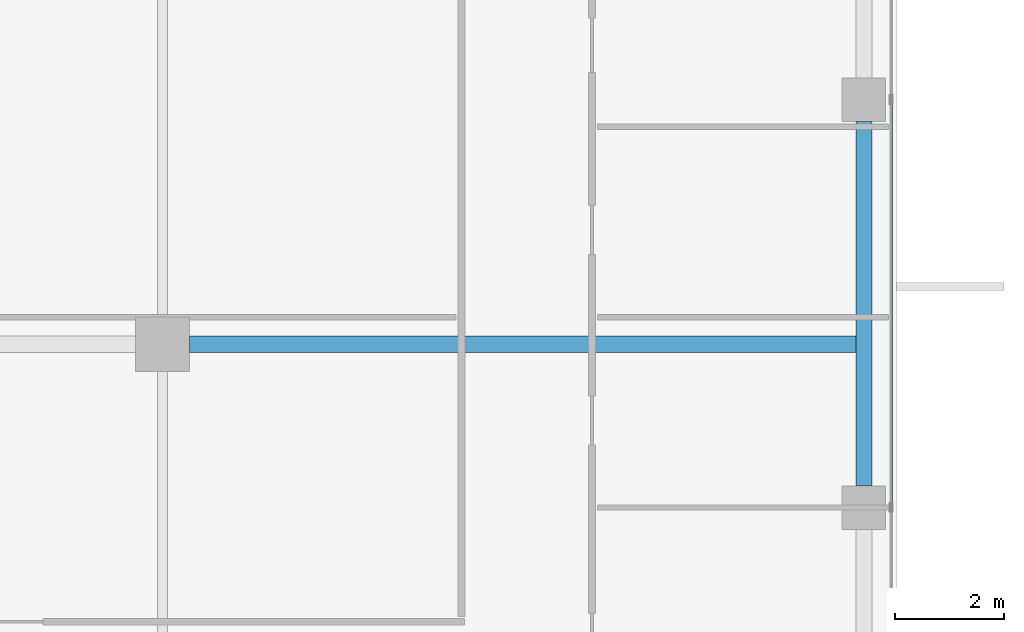
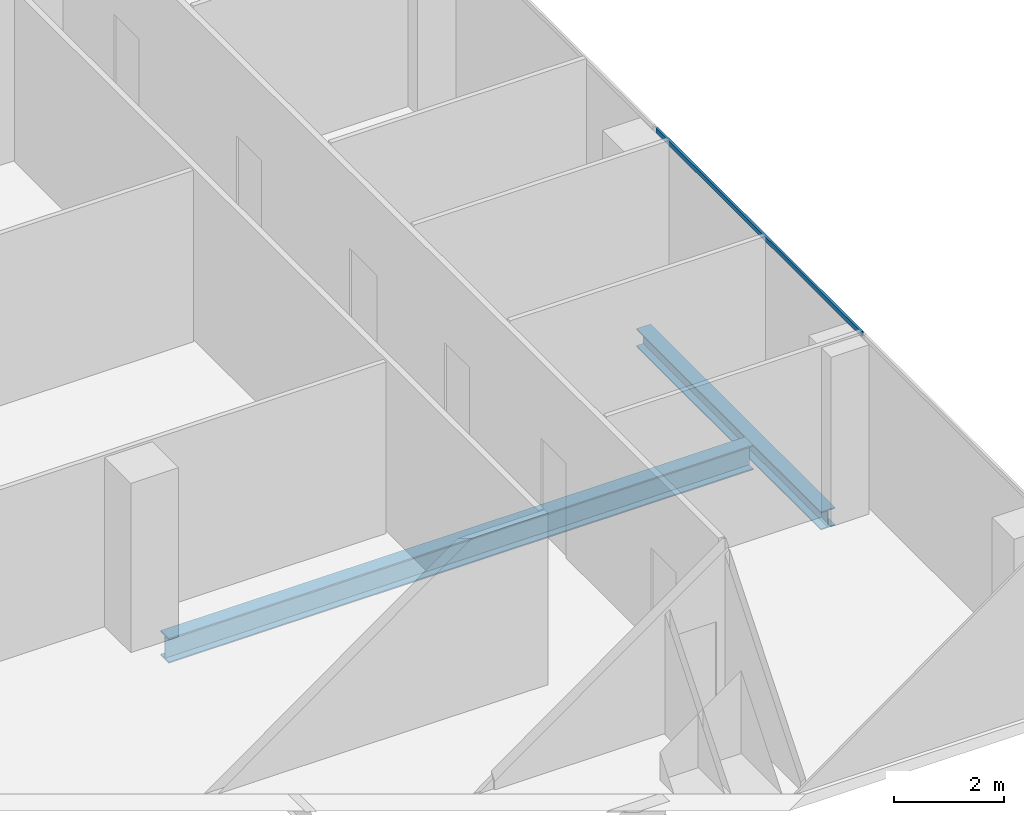
# One storey, part 9 of 28: 2 beams, 1 member, 1 element without a shape of its own.
"""IFC4 building model written with IfcOpenShell, lengths in metres."""

from ifc_helpers import new_model, si_unit, direction, frame, origin, origin_2d, place, context, subcontext, project, spatial, hollow_rectangle, i_section, extrude, source, transform, mapped, material, material_profile, profile_set, type_object, element, aggregate, save


model = new_model("IFC4")

# Units and contexts
model_context = context("Model", 3, precision=1e-05, world=origin(), true_north=direction((0.0, 1.0)))
body_context = subcontext(model_context, "Body", "Model", "MODEL_VIEW")
ifc_project = project(units=[si_unit("LENGTHUNIT", "METRE"), si_unit("AREAUNIT", "SQUARE_METRE"), si_unit("VOLUMEUNIT", "CUBIC_METRE"), si_unit("PLANEANGLEUNIT", "RADIAN"), si_unit("MASSUNIT", "GRAM", prefix="KILO")], contexts=[model_context])

# Site, building, storey
site_placement = place(None, origin())
site = spatial("IfcSite", under=ifc_project, at=site_placement, CompositionType="ELEMENT")
building_placement = place(site_placement, origin())
building = spatial("IfcBuilding", under=site, at=building_placement, Name="Khomas Fold Tower", CompositionType="ELEMENT")
storey_placement = place(building_placement, frame((0.0, 0.0, 302.199951171875)))
storey = spatial("IfcBuildingStorey", under=building, at=storey_placement, Name="L68", CompositionType="ELEMENT", Elevation=302.199951171875)

# Beams
ifc_material_1 = material(Name="Steel S355", Category="steel")
ifc_material_profile_1 = material_profile(ifc_material_1, i_section(OverallWidth=0.300048828125, OverallDepth=0.39990234375, WebThickness=0.013427734375, FlangeThickness=0.02392578125, at=origin_2d()), Name="HE 400 B")
ifc_profile_set_1 = profile_set([ifc_material_profile_1], Name="Steel S355")
beam_type_1 = type_object("IfcBeamType", Name="HE 400 B spandrel SB5", PredefinedType="SPANDREL", material=ifc_profile_set_1)
shared_shape_1 = source(origin(), body_context, "Body", "SweptSolid", [
    extrude(i_section(OverallWidth=0.300048828125, OverallDepth=0.39990234375, WebThickness=0.013427734375, FlangeThickness=0.02392578125, at=origin_2d()), origin(), (0.0, 0.0, 1.0), 6.7001953125),
])
beam_1_placement = place(storey_placement, frame((47.39990234375, 19.89990234375, -0.449951171875), z_axis=(0.0, 1.0, 0.0), x_axis=(-1.0, 0.0, 0.0)))
element("IfcBeam", 1, at=beam_1_placement, inside=storey, type_object=beam_type_1, Name="SB5", PredefinedType="SPANDREL", context=body_context, shape_type="MappedRepresentation", body=[
    mapped(shared_shape_1, transform((0.0, 0.0, 0.0))),
])
ifc_material_2 = material(Name="Steel S355", Category="steel")
ifc_material_profile_2 = material_profile(ifc_material_2, i_section(OverallWidth=0.300048828125, OverallDepth=0.550048828125, WebThickness=0.014892578125, FlangeThickness=0.029052734375, at=origin_2d()), Name="HE 550 B")
ifc_profile_set_2 = profile_set([ifc_material_profile_2], Name="Steel S355")
beam_type_2 = type_object("IfcBeamType", Name="HE 550 B beam GB4", PredefinedType="BEAM", material=ifc_profile_set_2)
shared_shape_2 = source(origin(), body_context, "Body", "SweptSolid", [
    extrude(i_section(OverallWidth=0.300048828125, OverallDepth=0.550048828125, WebThickness=0.014892578125, FlangeThickness=0.029052734375, at=origin_2d()), origin(), (0.0, 0.0, 1.0), 12.25),
])
beam_2_placement = place(storey_placement, frame((35.0, 22.5, -0.52490234375), z_axis=(1.0, 0.0, 0.0), x_axis=(0.0, 1.0, 0.0)))
element("IfcBeam", 2, at=beam_2_placement, inside=storey, type_object=beam_type_2, Name="GB4", PredefinedType="BEAM", context=body_context, shape_type="MappedRepresentation", body=[
    mapped(shared_shape_2, transform((0.0, 0.0, 0.0))),
])

# Curtain wall, member
ifc_material_3 = material(Name="Aluminium framed double glazing", Category="aluminium")
curtain_wall_type = type_object("IfcCurtainWallType", Name="SK-Unitised clear-glass wall, upper floors CW3", PredefinedType="NOTDEFINED", material=ifc_material_3)
curtain_wall_placement = place(storey_placement, origin())
curtain_wall = element("IfcCurtainWall", 3, at=curtain_wall_placement, inside=storey, type_object=curtain_wall_type, Name="CW3 run L68 03-0", PredefinedType="NOTDEFINED")
ifc_material_4 = material(Name="Aluminium", Category="aluminium")
ifc_material_profile_3 = material_profile(ifc_material_4, hollow_rectangle(XDim=0.050048828125, YDim=0.10009765625, WallThickness=0.00390625, at=origin_2d()), Name="SK-Unitised clear-glass wall, upper floors transom CW3-T")
ifc_profile_set_3 = profile_set([ifc_material_profile_3], Name="Aluminium")
member_type = type_object("IfcMemberType", Name="SK-Unitised clear-glass wall, upper floors transom CW3-T", PredefinedType="USERDEFINED", material=ifc_profile_set_3)
shared_shape_3 = source(origin(), body_context, "Body", "SweptSolid", [
    extrude(hollow_rectangle(XDim=0.050048828125, YDim=0.10009765625, WallThickness=0.00390625, at=origin_2d()), origin(), (0.0, 0.0, 1.0), 7.4501953125),
])
member_placement = place(storey_placement, frame((47.89990234375, 19.52490234375, 3.699951171875), z_axis=(0.0, 1.0, 0.0), x_axis=(-1.0, 0.0, 0.0)))
member = element("IfcMember", 4, at=member_placement, type_object=member_type, Name="CW3 transom 3", ObjectType="TRANSOM", PredefinedType="USERDEFINED", context=body_context, shape_type="MappedRepresentation", body=[
    mapped(shared_shape_3, transform((0.0, 0.0, 0.0))),
])
aggregate(curtain_wall, [member])

save(model, "model.ifc")
